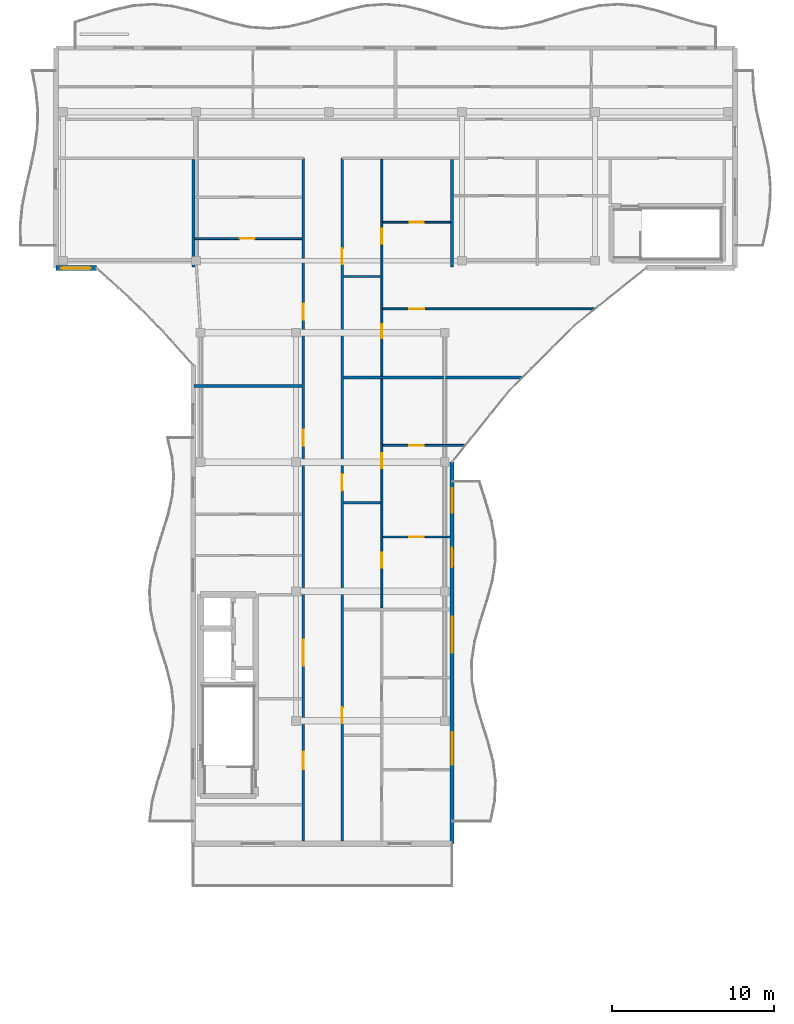
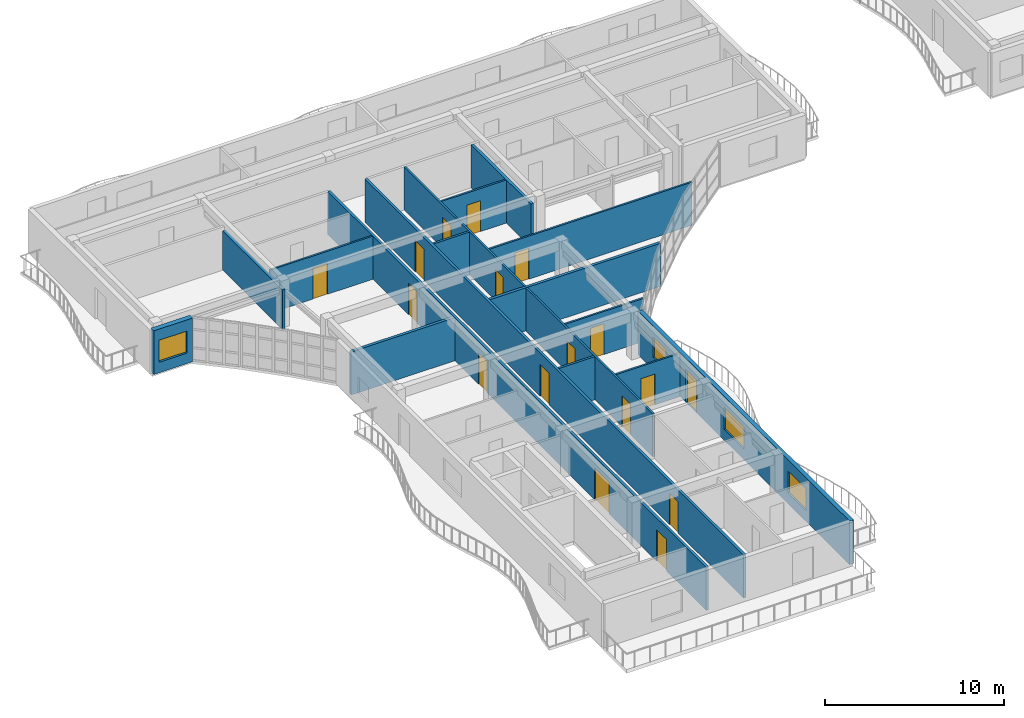
# One storey, part 26 of 49: 17 doors, 17 walls, 4 windows, 21 openings.
"""IFC4 building model written with IfcOpenShell, lengths in metres."""

from ifc_helpers import new_model, si_unit, direction, frame, frame_2d, origin, place, context, subcontext, project, spatial, rectangle, extrude, material, layer, layer_set, type_object, element, fill, save


model = new_model("IFC4")

# Units and contexts
model_context = context("Model", 3, precision=1e-05, world=origin(), true_north=direction((0.0, 1.0)))
body_context = subcontext(model_context, "Body", "Model", "MODEL_VIEW")
ifc_project = project(units=[si_unit("LENGTHUNIT", "METRE"), si_unit("AREAUNIT", "SQUARE_METRE"), si_unit("VOLUMEUNIT", "CUBIC_METRE"), si_unit("PLANEANGLEUNIT", "RADIAN"), si_unit("MASSUNIT", "GRAM", prefix="KILO")], contexts=[model_context])

# Site, building, storey
site_placement = place(None, origin())
site = spatial("IfcSite", under=ifc_project, at=site_placement, CompositionType="ELEMENT")
building_placement = place(site_placement, origin())
building = spatial("IfcBuilding", under=site, at=building_placement, Name="Keldmere Railside Commons", CompositionType="ELEMENT")
storey_placement = place(building_placement, frame((0.0, 0.0, 29.760009765625)))
storey = spatial("IfcBuildingStorey", under=building, at=storey_placement, Name="L09", CompositionType="ELEMENT", Elevation=29.760009765625)

# Walls
ifc_material_1 = material(Name="Acoustic Gypsum Board Partition", Category="gypsum")
ifc_layer_1 = layer(ifc_material_1, 0.179931640625, Name="Acoustic Demising Partition 180")
ifc_layer_set_1 = layer_set([ifc_layer_1], Name="Acoustic Gypsum Board Partition")
wall_type_1 = type_object("IfcWallType", Name="Acoustic Demising Partition 180", PredefinedType="PARTITIONING", material=ifc_layer_set_1)
wall_1_placement = place(storey_placement, frame((64.0, 100.050048828125, 0.0), z_axis=(0.0, 0.0, 1.0), x_axis=(0.0, 1.0, 0.0)))
element("IfcWall", 1, at=wall_1_placement, inside=storey, type_object=wall_type_1, Name="IW-1 IW-L09-0864", PredefinedType="PARTITIONING", context=body_context, shape_type="SweptSolid", body=[
    extrude(rectangle(XDim=6.669921875, YDim=0.179931640625, at=frame_2d((3.3349609375, 0.0))), origin(), (0.0, 0.0, 1.0), 2.93505859375),
])
wall_2_placement = place(storey_placement, frame((48.0, 100.050048828125, 0.0), z_axis=(0.0, 0.0, 1.0), x_axis=(0.0, 1.0, 0.0)))
element("IfcWall", 2, at=wall_2_placement, inside=storey, type_object=wall_type_1, Name="IW-1 IW-L09-0865", PredefinedType="PARTITIONING", context=body_context, shape_type="SweptSolid", body=[
    extrude(rectangle(XDim=6.669921875, YDim=0.179931640625, at=frame_2d((3.3349609375, 0.0))), origin(), (0.0, 0.0, 1.0), 2.679931640625),
])
wall_3_placement = place(storey_placement, frame((57.280029296875, 93.22998046875, 0.0), z_axis=(0.0, 0.0, 1.0), x_axis=(1.0, 0.0, 0.0)))
element("IfcWall", 3, at=wall_3_placement, inside=storey, type_object=wall_type_1, Name="IW-1 IW-L09-0869", PredefinedType="PARTITIONING", context=body_context, shape_type="SweptSolid", body=[
    extrude(rectangle(XDim=11.017333984375, YDim=0.179931640625, at=frame_2d((5.5087890625, 0.0))), origin(), (0.0, 0.0, 1.0), 2.93505859375),
])
wall_4_placement = place(storey_placement, frame((48.0400390625, 92.699951171875, 0.0), z_axis=(0.0, 0.0, 1.0), x_axis=(1.0, 0.0, 0.0)))
element("IfcWall", 4, at=wall_4_placement, inside=storey, type_object=wall_type_1, Name="IW-1 IW-L09-0892", PredefinedType="PARTITIONING", context=body_context, shape_type="SweptSolid", body=[
    extrude(rectangle(XDim=6.679931640625, YDim=0.179931640625, at=frame_2d((3.33984375, 0.0))), origin(), (0.0, 0.0, 1.0), 2.93505859375),
])

# Wall, openings, doors
ifc_layer_2 = layer(ifc_material_1, 0.1201171875, Name="Apartment Interior Partition 120")
ifc_layer_set_2 = layer_set([ifc_layer_2], Name="Acoustic Gypsum Board Partition")
wall_type_2 = type_object("IfcWallType", Name="Apartment Interior Partition 120", PredefinedType="PARTITIONING", material=ifc_layer_set_2)
wall_5_placement = place(storey_placement, frame((59.659912109375, 78.97998046875, 0.0), z_axis=(0.0, 0.0, 1.0), x_axis=(0.0, 1.0, 0.0)))
wall_5 = element("IfcWall", 5, at=wall_5_placement, inside=storey, type_object=wall_type_2, Name="IW-4 IW-L09-0874", PredefinedType="PARTITIONING", context=body_context, shape_type="SweptSolid", body=[
    extrude(rectangle(XDim=14.159912109375, YDim=0.1201171875, at=frame_2d((7.080078125, 0.0))), origin(), (0.0, 0.0, 1.0), 2.93505859375),
])
opening_1_placement = place(wall_5_placement, frame((2.473876953125, 0.0, 0.0)))
opening_1 = element("IfcOpeningElement", 6, at=opening_1_placement, cuts=wall_5, Name="Opening ID-05", PredefinedType="OPENING", context=body_context, shape_type="SweptSolid", body=[
    extrude(rectangle(XDim=0.93994140625, YDim=2.10009765625, at=frame_2d((0.469970703125, 1.050048828125))), frame((0.0, 0.070068359375, 0.0), z_axis=(0.0, -1.0, 0.0), x_axis=(1.0, 0.0, 0.0)), (0.0, 0.0, 1.0), 0.14013671875),
])
opening_2_placement = place(wall_5_placement, frame((8.652099609375, 0.0, 0.0)))
opening_2 = element("IfcOpeningElement", 7, at=opening_2_placement, cuts=wall_5, Name="Opening ID-03", PredefinedType="OPENING", context=body_context, shape_type="SweptSolid", body=[
    extrude(rectangle(XDim=0.919921875, YDim=2.10009765625, at=frame_2d((0.4599609375, 1.050048828125))), frame((0.0, 0.070068359375, 0.0), z_axis=(0.0, -1.0, 0.0), x_axis=(1.0, 0.0, 0.0)), (0.0, 0.0, 1.0), 0.14013671875),
])
ifc_material_2 = material(Name="Engineered Oak Timber", Category="wood")
door_type_1 = type_object("IfcDoorType", Name="Accessible Bathroom Door 940x2100", OperationType="NOTDEFINED", PredefinedType="DOOR", material=ifc_material_2)
door_1_placement = place(opening_1_placement, origin())
door_1 = element("IfcDoor", 8, at=door_1_placement, inside=storey, type_object=door_type_1, Name="ID-05 IDR-L09-0750", OperationType="SINGLE_SWING_RIGHT", OverallHeight=2.10009765625, OverallWidth=0.93994140625, PredefinedType="DOOR", context=body_context, shape_type="SweptSolid", body=[
    extrude(rectangle(XDim=0.93994140625, YDim=2.10009765625, at=frame_2d((0.469970703125, 1.050048828125))), frame((0.0, 0.02490234375, 0.0), z_axis=(0.0, -1.0, 0.0), x_axis=(1.0, 0.0, 0.0)), (0.0, 0.0, 1.0), 0.050048828125),
])
fill(opening_1, door_1)
door_type_2 = type_object("IfcDoorType", Name="Kitchen Pocket-Frame Swing Door 920x2100", OperationType="NOTDEFINED", PredefinedType="DOOR", material=ifc_material_2)
door_2_placement = place(opening_2_placement, origin())
door_2 = element("IfcDoor", 9, at=door_2_placement, inside=storey, type_object=door_type_2, Name="ID-03 IDR-L09-0751", OperationType="SINGLE_SWING_LEFT", OverallHeight=2.10009765625, OverallWidth=0.919921875, PredefinedType="DOOR", context=body_context, shape_type="SweptSolid", body=[
    extrude(rectangle(XDim=0.919921875, YDim=2.10009765625, at=frame_2d((0.4599609375, 1.050048828125))), frame((0.0, 0.02490234375, 0.0), z_axis=(0.0, -1.0, 0.0), x_axis=(1.0, 0.0, 0.0)), (0.0, 0.0, 1.0), 0.050048828125),
])
fill(opening_2, door_2)

# Wall, opening, door
wall_6_placement = place(storey_placement, frame((59.719970703125, 83.3701171875, 0.0), z_axis=(0.0, 0.0, 1.0), x_axis=(1.0, 0.0, 0.0)))
wall_6 = element("IfcWall", 10, at=wall_6_placement, inside=storey, type_object=wall_type_2, Name="IW-4 IW-L09-0876", PredefinedType="PARTITIONING", context=body_context, shape_type="SweptSolid", body=[
    extrude(rectangle(XDim=4.150146484375, YDim=0.1201171875, at=frame_2d((2.0751953125, 0.0))), origin(), (0.0, 0.0, 1.0), 2.93505859375),
])
opening_3_placement = place(wall_6_placement, frame((1.625, 0.0, 0.0)))
opening_3 = element("IfcOpeningElement", 11, at=opening_3_placement, cuts=wall_6, Name="Opening ID-01", PredefinedType="OPENING", context=body_context, shape_type="SweptSolid", body=[
    extrude(rectangle(XDim=0.89990234375, YDim=2.10009765625, at=frame_2d((0.449951171875, 1.050048828125))), frame((0.0, 0.070068359375, 0.0), z_axis=(0.0, -1.0, 0.0), x_axis=(1.0, 0.0, 0.0)), (0.0, 0.0, 1.0), 0.14013671875),
])
door_type_3 = type_object("IfcDoorType", Name="Primary Bedroom Door 900x2100", OperationType="NOTDEFINED", PredefinedType="DOOR", material=ifc_material_2)
door_3_placement = place(opening_3_placement, origin())
door_3 = element("IfcDoor", 12, at=door_3_placement, inside=storey, type_object=door_type_3, Name="ID-01 IDR-L09-0753", OperationType="SINGLE_SWING_LEFT", OverallHeight=2.10009765625, OverallWidth=0.89990234375, PredefinedType="DOOR", context=body_context, shape_type="SweptSolid", body=[
    extrude(rectangle(XDim=0.89990234375, YDim=2.10009765625, at=frame_2d((0.449951171875, 1.050048828125))), frame((0.0, 0.02490234375, 0.0), z_axis=(0.0, -1.0, 0.0), x_axis=(1.0, 0.0, 0.0)), (0.0, 0.0, 1.0), 0.050048828125),
])
fill(opening_3, door_3)

wall_7_placement = place(storey_placement, frame((59.719970703125, 89.030029296875, 0.0), z_axis=(0.0, 0.0, 1.0), x_axis=(1.0, 0.0, 0.0)))
wall_7 = element("IfcWall", 13, at=wall_7_placement, inside=storey, type_object=wall_type_2, Name="IW-4 IW-L09-0877", PredefinedType="PARTITIONING", context=body_context, shape_type="SweptSolid", body=[
    extrude(rectangle(XDim=5.054931640625, YDim=0.1201171875, at=frame_2d((2.52734375, 0.0))), origin(), (0.0, 0.0, 1.0), 2.93505859375),
])
opening_4_placement = place(wall_7_placement, frame((1.635009765625, 0.0, 0.0)))
opening_4 = element("IfcOpeningElement", 14, at=opening_4_placement, cuts=wall_7, Name="Opening ID-02", PredefinedType="OPENING", context=body_context, shape_type="SweptSolid", body=[
    extrude(rectangle(XDim=0.8798828125, YDim=2.10009765625, at=frame_2d((0.43994140625, 1.050048828125))), frame((0.0, 0.070068359375, 0.0), z_axis=(0.0, -1.0, 0.0), x_axis=(1.0, 0.0, 0.0)), (0.0, 0.0, 1.0), 0.14013671875),
])
door_type_4 = type_object("IfcDoorType", Name="Secondary Bedroom Door 880x2100", OperationType="NOTDEFINED", PredefinedType="DOOR", material=ifc_material_2)
door_4_placement = place(opening_4_placement, origin())
door_4 = element("IfcDoor", 15, at=door_4_placement, inside=storey, type_object=door_type_4, Name="ID-02 IDR-L09-0754", OperationType="SINGLE_SWING_RIGHT", OverallHeight=2.10009765625, OverallWidth=0.8798828125, PredefinedType="DOOR", context=body_context, shape_type="SweptSolid", body=[
    extrude(rectangle(XDim=0.8798828125, YDim=2.10009765625, at=frame_2d((0.43994140625, 1.050048828125))), frame((0.0, 0.02490234375, 0.0), z_axis=(0.0, -1.0, 0.0), x_axis=(1.0, 0.0, 0.0)), (0.0, 0.0, 1.0), 0.050048828125),
])
fill(opening_4, door_4)

# Wall, openings, doors
wall_8_placement = place(storey_placement, frame((59.659912109375, 93.320068359375, 0.0), z_axis=(0.0, 0.0, 1.0), x_axis=(0.0, 1.0, 0.0)))
wall_8 = element("IfcWall", 16, at=wall_8_placement, inside=storey, type_object=wall_type_2, Name="IW-4 IW-L09-0878", PredefinedType="PARTITIONING", context=body_context, shape_type="SweptSolid", body=[
    extrude(rectangle(XDim=13.39990234375, YDim=0.1201171875, at=frame_2d((6.699951171875, 0.0))), origin(), (0.0, 0.0, 1.0), 2.93505859375),
])
opening_5_placement = place(wall_8_placement, frame((2.3408203125, 0.0, 0.0)))
opening_5 = element("IfcOpeningElement", 17, at=opening_5_placement, cuts=wall_8, Name="Opening ID-04", PredefinedType="OPENING", context=body_context, shape_type="SweptSolid", body=[
    extrude(rectangle(XDim=0.860107421875, YDim=2.10009765625, at=frame_2d((0.43017578125, 1.050048828125))), frame((0.0, 0.070068359375, 0.0), z_axis=(0.0, -1.0, 0.0), x_axis=(1.0, 0.0, 0.0)), (0.0, 0.0, 1.0), 0.14013671875),
])
opening_6_placement = place(wall_8_placement, frame((8.187255859375, 0.0, 0.0)))
opening_6 = element("IfcOpeningElement", 18, at=opening_6_placement, cuts=wall_8, Name="Opening ID-03", PredefinedType="OPENING", context=body_context, shape_type="SweptSolid", body=[
    extrude(rectangle(XDim=0.919921875, YDim=2.10009765625, at=frame_2d((0.4599609375, 1.050048828125))), frame((0.0, 0.070068359375, 0.0), z_axis=(0.0, -1.0, 0.0), x_axis=(1.0, 0.0, 0.0)), (0.0, 0.0, 1.0), 0.14013671875),
])
door_type_5 = type_object("IfcDoorType", Name="Apartment Bathroom Door 860x2100", OperationType="NOTDEFINED", PredefinedType="DOOR", material=ifc_material_2)
door_5_placement = place(opening_5_placement, origin())
door_5 = element("IfcDoor", 19, at=door_5_placement, inside=storey, type_object=door_type_5, Name="ID-04 IDR-L09-0755", OperationType="SINGLE_SWING_LEFT", OverallHeight=2.10009765625, OverallWidth=0.860107421875, PredefinedType="DOOR", context=body_context, shape_type="SweptSolid", body=[
    extrude(rectangle(XDim=0.860107421875, YDim=2.10009765625, at=frame_2d((0.43017578125, 1.050048828125))), frame((0.0, 0.02490234375, 0.0), z_axis=(0.0, -1.0, 0.0), x_axis=(1.0, 0.0, 0.0)), (0.0, 0.0, 1.0), 0.050048828125),
])
fill(opening_5, door_5)
door_6_placement = place(opening_6_placement, origin())
door_6 = element("IfcDoor", 20, at=door_6_placement, inside=storey, type_object=door_type_2, Name="ID-03 IDR-L09-0756", OperationType="SINGLE_SWING_RIGHT", OverallHeight=2.10009765625, OverallWidth=0.919921875, PredefinedType="DOOR", context=body_context, shape_type="SweptSolid", body=[
    extrude(rectangle(XDim=0.919921875, YDim=2.10009765625, at=frame_2d((0.4599609375, 1.050048828125))), frame((0.0, 0.02490234375, 0.0), z_axis=(0.0, -1.0, 0.0), x_axis=(1.0, 0.0, 0.0)), (0.0, 0.0, 1.0), 0.050048828125),
])
fill(opening_6, door_6)

# Wall, opening, door
wall_9_placement = place(storey_placement, frame((59.719970703125, 97.469970703125, 0.0), z_axis=(0.0, 0.0, 1.0), x_axis=(1.0, 0.0, 0.0)))
wall_9 = element("IfcWall", 21, at=wall_9_placement, inside=storey, type_object=wall_type_2, Name="IW-4 IW-L09-0880", PredefinedType="PARTITIONING", context=body_context, shape_type="SweptSolid", body=[
    extrude(rectangle(XDim=13.0625, YDim=0.1201171875, at=frame_2d((6.53125, 0.0))), origin(), (0.0, 0.0, 1.0), 2.93505859375),
])
opening_7_placement = place(wall_9_placement, frame((1.64501953125, 0.0, 0.0)))
opening_7 = element("IfcOpeningElement", 22, at=opening_7_placement, cuts=wall_9, Name="Opening ID-01", PredefinedType="OPENING", context=body_context, shape_type="SweptSolid", body=[
    extrude(rectangle(XDim=0.89990234375, YDim=2.10009765625, at=frame_2d((0.449951171875, 1.050048828125))), frame((0.0, 0.070068359375, 0.0), z_axis=(0.0, -1.0, 0.0), x_axis=(1.0, 0.0, 0.0)), (0.0, 0.0, 1.0), 0.14013671875),
])
door_7_placement = place(opening_7_placement, origin())
door_7 = element("IfcDoor", 23, at=door_7_placement, inside=storey, type_object=door_type_3, Name="ID-01 IDR-L09-0758", OperationType="SINGLE_SWING_RIGHT", OverallHeight=2.10009765625, OverallWidth=0.89990234375, PredefinedType="DOOR", context=body_context, shape_type="SweptSolid", body=[
    extrude(rectangle(XDim=0.89990234375, YDim=2.10009765625, at=frame_2d((0.449951171875, 1.050048828125))), frame((0.0, 0.02490234375, 0.0), z_axis=(0.0, -1.0, 0.0), x_axis=(1.0, 0.0, 0.0)), (0.0, 0.0, 1.0), 0.050048828125),
])
fill(opening_7, door_7)

wall_10_placement = place(storey_placement, frame((59.719970703125, 102.830078125, 0.0), z_axis=(0.0, 0.0, 1.0), x_axis=(1.0, 0.0, 0.0)))
wall_10 = element("IfcWall", 24, at=wall_10_placement, inside=storey, type_object=wall_type_2, Name="IW-4 IW-L09-0881", PredefinedType="PARTITIONING", context=body_context, shape_type="SweptSolid", body=[
    extrude(rectangle(XDim=4.18994140625, YDim=0.1201171875, at=frame_2d((2.094970703125, 0.0))), origin(), (0.0, 0.0, 1.0), 2.93505859375),
])
opening_8_placement = place(wall_10_placement, frame((1.655029296875, 0.0, 0.0)))
opening_8 = element("IfcOpeningElement", 25, at=opening_8_placement, cuts=wall_10, Name="Opening ID-02", PredefinedType="OPENING", context=body_context, shape_type="SweptSolid", body=[
    extrude(rectangle(XDim=0.8798828125, YDim=2.10009765625, at=frame_2d((0.43994140625, 1.050048828125))), frame((0.0, 0.070068359375, 0.0), z_axis=(0.0, -1.0, 0.0), x_axis=(1.0, 0.0, 0.0)), (0.0, 0.0, 1.0), 0.14013671875),
])
door_8_placement = place(opening_8_placement, origin())
door_8 = element("IfcDoor", 26, at=door_8_placement, inside=storey, type_object=door_type_4, Name="ID-02 IDR-L09-0759", OperationType="SINGLE_SWING_LEFT", OverallHeight=2.10009765625, OverallWidth=0.8798828125, PredefinedType="DOOR", context=body_context, shape_type="SweptSolid", body=[
    extrude(rectangle(XDim=0.8798828125, YDim=2.10009765625, at=frame_2d((0.43994140625, 1.050048828125))), frame((0.0, 0.02490234375, 0.0), z_axis=(0.0, -1.0, 0.0), x_axis=(1.0, 0.0, 0.0)), (0.0, 0.0, 1.0), 0.050048828125),
])
fill(opening_8, door_8)

wall_11_placement = place(storey_placement, frame((48.090087890625, 101.820068359375, 0.0), z_axis=(0.0, 0.0, 1.0), x_axis=(1.0, 0.0, 0.0)))
wall_11 = element("IfcWall", 27, at=wall_11_placement, inside=storey, type_object=wall_type_2, Name="IW-4 IW-L09-0895", PredefinedType="PARTITIONING", context=body_context, shape_type="SweptSolid", body=[
    extrude(rectangle(XDim=6.6298828125, YDim=0.1201171875, at=frame_2d((3.31494140625, 0.0))), origin(), (0.0, 0.0, 1.0), 2.93505859375),
])
opening_9_placement = place(wall_11_placement, frame((2.78466796875, 0.0, 0.0)))
opening_9 = element("IfcOpeningElement", 28, at=opening_9_placement, cuts=wall_11, Name="Opening ID-03", PredefinedType="OPENING", context=body_context, shape_type="SweptSolid", body=[
    extrude(rectangle(XDim=0.919921875, YDim=2.10009765625, at=frame_2d((0.4599609375, 1.050048828125))), frame((0.0, 0.070068359375, 0.0), z_axis=(0.0, -1.0, 0.0), x_axis=(1.0, 0.0, 0.0)), (0.0, 0.0, 1.0), 0.14013671875),
])
door_9_placement = place(opening_9_placement, origin())
door_9 = element("IfcDoor", 29, at=door_9_placement, inside=storey, type_object=door_type_2, Name="ID-03 IDR-L09-0777", OperationType="SINGLE_SWING_LEFT", OverallHeight=2.10009765625, OverallWidth=0.919921875, PredefinedType="DOOR", context=body_context, shape_type="SweptSolid", body=[
    extrude(rectangle(XDim=0.919921875, YDim=2.10009765625, at=frame_2d((0.4599609375, 1.050048828125))), frame((0.0, 0.02490234375, 0.0), z_axis=(0.0, -1.0, 0.0), x_axis=(1.0, 0.0, 0.0)), (0.0, 0.0, 1.0), 0.050048828125),
])
fill(opening_9, door_9)

# Wall, openings, doors
ifc_layer_3 = layer(ifc_material_1, 0.159912109375, Name="Corridor Fire Partition 160")
ifc_layer_set_3 = layer_set([ifc_layer_3], Name="Acoustic Gypsum Board Partition")
wall_type_3 = type_object("IfcWallType", Name="Corridor Fire Partition 160", PredefinedType="PARTITIONING", material=ifc_layer_set_3)
wall_12_placement = place(storey_placement, frame((54.800048828125, 64.56005859375, 0.0), z_axis=(0.0, 0.0, 1.0), x_axis=(0.0, 1.0, 0.0)))
wall_12 = element("IfcWall", 30, at=wall_12_placement, inside=storey, type_object=wall_type_3, Name="IW-2 IW-L09-0859", PredefinedType="PARTITIONING", context=body_context, shape_type="SweptSolid", body=[
    extrude(rectangle(XDim=42.239990234375, YDim=0.159912109375, at=frame_2d((21.1201171875, 0.0))), origin(), (0.0, 0.0, 1.0), 2.93505859375),
])
opening_10_placement = place(wall_12_placement, frame((4.43994140625, 0.0, 0.0)))
opening_10 = element("IfcOpeningElement", 31, at=opening_10_placement, cuts=wall_12, Name="Opening FD-2", PredefinedType="OPENING", context=body_context, shape_type="SweptSolid", body=[
    extrude(rectangle(XDim=1.10009765625, YDim=2.14990234375, at=frame_2d((0.550048828125, 1.074951171875))), frame((0.0, 0.08984375, 0.0), z_axis=(0.0, -1.0, 0.0), x_axis=(1.0, 0.0, 0.0)), (0.0, 0.0, 1.0), 0.179931640625),
])
opening_11_placement = place(wall_12_placement, frame((10.840087890625, 0.0, 0.0)))
opening_11 = element("IfcOpeningElement", 32, at=opening_11_placement, cuts=wall_12, Name="Opening FD-4", PredefinedType="OPENING", context=body_context, shape_type="SweptSolid", body=[
    extrude(rectangle(XDim=1.60009765625, YDim=2.14990234375, at=frame_2d((0.800048828125, 1.074951171875))), frame((0.0, 0.08984375, 0.0), z_axis=(0.0, -1.0, 0.0), x_axis=(1.0, 0.0, 0.0)), (0.0, 0.0, 1.0), 0.179931640625),
])
opening_12_placement = place(wall_12_placement, frame((24.445068359375, 0.0, 0.0)))
opening_12 = element("IfcOpeningElement", 33, at=opening_12_placement, cuts=wall_12, Name="Opening FD-7", PredefinedType="OPENING", context=body_context, shape_type="SweptSolid", body=[
    extrude(rectangle(XDim=0.97998046875, YDim=2.14990234375, at=frame_2d((0.489990234375, 1.074951171875))), frame((0.0, 0.08984375, 0.0), z_axis=(0.0, -1.0, 0.0), x_axis=(1.0, 0.0, 0.0)), (0.0, 0.0, 1.0), 0.179931640625),
])
opening_13_placement = place(wall_12_placement, frame((32.2548828125, 0.0, 0.0)))
opening_13 = element("IfcOpeningElement", 34, at=opening_13_placement, cuts=wall_12, Name="Opening FD-7", PredefinedType="OPENING", context=body_context, shape_type="SweptSolid", body=[
    extrude(rectangle(XDim=0.97998046875, YDim=2.14990234375, at=frame_2d((0.489990234375, 1.074951171875))), frame((0.0, 0.08984375, 0.0), z_axis=(0.0, -1.0, 0.0), x_axis=(1.0, 0.0, 0.0)), (0.0, 0.0, 1.0), 0.179931640625),
])
door_type_6 = type_object("IfcDoorType", Name="Apartment Entrance Acoustic Fire Door 980x2150", OperationType="NOTDEFINED", PredefinedType="DOOR", material=ifc_material_2)
door_10_placement = place(opening_12_placement, origin())
door_10 = element("IfcDoor", 35, at=door_10_placement, inside=storey, type_object=door_type_6, Name="FD-7 IDR-L09-0775", OperationType="SINGLE_SWING_LEFT", OverallHeight=2.14990234375, OverallWidth=0.97998046875, PredefinedType="DOOR", context=body_context, shape_type="SweptSolid", body=[
    extrude(rectangle(XDim=0.97998046875, YDim=2.14990234375, at=frame_2d((0.489990234375, 1.074951171875))), frame((0.0, 0.02490234375, 0.0), z_axis=(0.0, -1.0, 0.0), x_axis=(1.0, 0.0, 0.0)), (0.0, 0.0, 1.0), 0.050048828125),
])
fill(opening_12, door_10)
door_11_placement = place(opening_13_placement, origin())
door_11 = element("IfcDoor", 36, at=door_11_placement, inside=storey, type_object=door_type_6, Name="FD-7 IDR-L09-0778", OperationType="SINGLE_SWING_RIGHT", OverallHeight=2.14990234375, OverallWidth=0.97998046875, PredefinedType="DOOR", context=body_context, shape_type="SweptSolid", body=[
    extrude(rectangle(XDim=0.97998046875, YDim=2.14990234375, at=frame_2d((0.489990234375, 1.074951171875))), frame((0.0, 0.02490234375, 0.0), z_axis=(0.0, -1.0, 0.0), x_axis=(1.0, 0.0, 0.0)), (0.0, 0.0, 1.0), 0.050048828125),
])
fill(opening_13, door_11)
ifc_material_3 = material(Name="Steel F-24 (S235)", Category="steel")
door_type_7 = type_object("IfcDoorType", Name="Corridor Cross-Compartment Double Fire Door 1600x2150", OperationType="DOUBLE_DOOR_SINGLE_SWING", PredefinedType="DOOR", material=ifc_material_3)
door_12_placement = place(opening_11_placement, origin())
door_12 = element("IfcDoor", 37, at=door_12_placement, inside=storey, type_object=door_type_7, Name="FD-4 IDR-L09-0744", OperationType="DOUBLE_DOOR_SINGLE_SWING", OverallHeight=2.14990234375, OverallWidth=1.60009765625, PredefinedType="DOOR", context=body_context, shape_type="SweptSolid", body=[
    extrude(rectangle(XDim=1.60009765625, YDim=2.14990234375, at=frame_2d((0.800048828125, 1.074951171875))), frame((0.0, 0.02490234375, 0.0), z_axis=(0.0, -1.0, 0.0), x_axis=(1.0, 0.0, 0.0)), (0.0, 0.0, 1.0), 0.050048828125),
])
fill(opening_11, door_12)
door_type_8 = type_object("IfcDoorType", Name="Firefighting Lobby Fire Door 1100x2150", OperationType="NOTDEFINED", PredefinedType="DOOR", material=ifc_material_3)
door_13_placement = place(opening_10_placement, origin())
door_13 = element("IfcDoor", 38, at=door_13_placement, inside=storey, type_object=door_type_8, Name="FD-2 IDR-L09-0743", OperationType="SINGLE_SWING_LEFT", OverallHeight=2.14990234375, OverallWidth=1.10009765625, PredefinedType="DOOR", context=body_context, shape_type="SweptSolid", body=[
    extrude(rectangle(XDim=1.10009765625, YDim=2.14990234375, at=frame_2d((0.550048828125, 1.074951171875))), frame((0.0, 0.02490234375, 0.0), z_axis=(0.0, -1.0, 0.0), x_axis=(1.0, 0.0, 0.0)), (0.0, 0.0, 1.0), 0.050048828125),
])
fill(opening_10, door_13)

wall_13_placement = place(storey_placement, frame((57.199951171875, 64.56005859375, 0.0), z_axis=(0.0, 0.0, 1.0), x_axis=(0.0, 1.0, 0.0)))
wall_13 = element("IfcWall", 39, at=wall_13_placement, inside=storey, type_object=wall_type_3, Name="IW-2 IW-L09-0860", PredefinedType="PARTITIONING", context=body_context, shape_type="SweptSolid", body=[
    extrude(rectangle(XDim=42.239990234375, YDim=0.159912109375, at=frame_2d((21.1201171875, 0.0))), origin(), (0.0, 0.0, 1.0), 2.93505859375),
])
opening_14_placement = place(wall_13_placement, frame((7.300048828125, 0.0, 0.0)))
opening_14 = element("IfcOpeningElement", 40, at=opening_14_placement, cuts=wall_13, Name="Opening FD-7", PredefinedType="OPENING", context=body_context, shape_type="SweptSolid", body=[
    extrude(rectangle(XDim=0.97998046875, YDim=2.14990234375, at=frame_2d((0.489990234375, 1.074951171875))), frame((0.0, 0.08984375, 0.0), z_axis=(0.0, -1.0, 0.0), x_axis=(1.0, 0.0, 0.0)), (0.0, 0.0, 1.0), 0.179931640625),
])
opening_15_placement = place(wall_13_placement, frame((21.679931640625, 0.0, 0.0)))
opening_15 = element("IfcOpeningElement", 41, at=opening_15_placement, cuts=wall_13, Name="Opening FD-8", PredefinedType="OPENING", context=body_context, shape_type="SweptSolid", body=[
    extrude(rectangle(XDim=1.02001953125, YDim=2.14990234375, at=frame_2d((0.510009765625, 1.074951171875))), frame((0.0, 0.08984375, 0.0), z_axis=(0.0, -1.0, 0.0), x_axis=(1.0, 0.0, 0.0)), (0.0, 0.0, 1.0), 0.179931640625),
])
opening_16_placement = place(wall_13_placement, frame((35.669921875, 0.0, 0.0)))
opening_16 = element("IfcOpeningElement", 42, at=opening_16_placement, cuts=wall_13, Name="Opening FD-7", PredefinedType="OPENING", context=body_context, shape_type="SweptSolid", body=[
    extrude(rectangle(XDim=0.97998046875, YDim=2.14990234375, at=frame_2d((0.489990234375, 1.074951171875))), frame((0.0, 0.08984375, 0.0), z_axis=(0.0, -1.0, 0.0), x_axis=(1.0, 0.0, 0.0)), (0.0, 0.0, 1.0), 0.179931640625),
])
door_type_9 = type_object("IfcDoorType", Name="Adaptable Apartment Entrance Fire Door 1020x2150", OperationType="NOTDEFINED", PredefinedType="DOOR", material=ifc_material_2)
door_14_placement = place(opening_15_placement, origin())
door_14 = element("IfcDoor", 43, at=door_14_placement, inside=storey, type_object=door_type_9, Name="FD-8 IDR-L09-0752", OperationType="SINGLE_SWING_RIGHT", OverallHeight=2.14990234375, OverallWidth=1.02001953125, PredefinedType="DOOR", context=body_context, shape_type="SweptSolid", body=[
    extrude(rectangle(XDim=1.02001953125, YDim=2.14990234375, at=frame_2d((0.510009765625, 1.074951171875))), frame((0.0, 0.02490234375, 0.0), z_axis=(0.0, -1.0, 0.0), x_axis=(1.0, 0.0, 0.0)), (0.0, 0.0, 1.0), 0.050048828125),
])
fill(opening_15, door_14)
door_15_placement = place(opening_14_placement, origin())
door_15 = element("IfcDoor", 44, at=door_15_placement, inside=storey, type_object=door_type_6, Name="FD-7 IDR-L09-0747", OperationType="SINGLE_SWING_LEFT", OverallHeight=2.14990234375, OverallWidth=0.97998046875, PredefinedType="DOOR", context=body_context, shape_type="SweptSolid", body=[
    extrude(rectangle(XDim=0.97998046875, YDim=2.14990234375, at=frame_2d((0.489990234375, 1.074951171875))), frame((0.0, 0.02490234375, 0.0), z_axis=(0.0, -1.0, 0.0), x_axis=(1.0, 0.0, 0.0)), (0.0, 0.0, 1.0), 0.050048828125),
])
fill(opening_14, door_15)
door_16_placement = place(opening_16_placement, origin())
door_16 = element("IfcDoor", 45, at=door_16_placement, inside=storey, type_object=door_type_6, Name="FD-7 IDR-L09-0757", OperationType="SINGLE_SWING_LEFT", OverallHeight=2.14990234375, OverallWidth=0.97998046875, PredefinedType="DOOR", context=body_context, shape_type="SweptSolid", body=[
    extrude(rectangle(XDim=0.97998046875, YDim=2.14990234375, at=frame_2d((0.489990234375, 1.074951171875))), frame((0.0, 0.02490234375, 0.0), z_axis=(0.0, -1.0, 0.0), x_axis=(1.0, 0.0, 0.0)), (0.0, 0.0, 1.0), 0.050048828125),
])
fill(opening_16, door_16)

# Wall, opening, window
ifc_material_4 = material(Name="Concrete H-35 (C35/45)", Category="concrete")
ifc_layer_4 = layer(ifc_material_4, 0.320068359375, Name="Exterior Shear Wall 320")
ifc_layer_set_4 = layer_set([ifc_layer_4], Name="Concrete H-35 (C35/45)")
wall_type_4 = type_object("IfcWallType", Name="Exterior Shear Wall 320", PredefinedType="SHEAR", material=ifc_layer_set_4)
wall_14_placement = place(storey_placement, frame((42.0, 100.0, 0.0), z_axis=(0.0, 0.0, 1.0), x_axis=(-1.0, 0.0, 0.0)))
wall_14 = element("IfcWall", 46, at=wall_14_placement, inside=storey, type_object=wall_type_4, Name="ESW-2 EXTC-L09-0403", PredefinedType="SHEAR", context=body_context, shape_type="SweptSolid", body=[
    extrude(rectangle(XDim=2.5, YDim=0.320068359375, at=frame_2d((1.25, 0.0))), origin(), (0.0, 0.0, 1.0), 2.97998046875),
])
opening_17_placement = place(wall_14_placement, frame((0.35009765625, 0.0, 0.719970703125)))
opening_17 = element("IfcOpeningElement", 47, at=opening_17_placement, cuts=wall_14, Name="Opening WN-01", PredefinedType="OPENING", context=body_context, shape_type="SweptSolid", body=[
    extrude(rectangle(XDim=1.800048828125, YDim=1.5, at=frame_2d((0.89990234375, 0.75))), frame((0.0, 0.169921875, 0.0), z_axis=(0.0, -1.0, 0.0), x_axis=(1.0, 0.0, 0.0)), (0.0, 0.0, 1.0), 0.340087890625),
])
ifc_material_5 = material(Name="Low-E Insulated Double Glazing", Category="glass")
window_type_1 = type_object("IfcWindowType", Name="Living Room North Casement Window 1800x1500", PartitioningType="SINGLE_PANEL", PredefinedType="WINDOW", material=ifc_material_5)
window_1_placement = place(opening_17_placement, origin())
window_1 = element("IfcWindow", 48, at=window_1_placement, inside=storey, type_object=window_type_1, Name="WN-01 WIN-L09-0333", OverallHeight=1.5, OverallWidth=1.800048828125, PartitioningType="SINGLE_PANEL", PredefinedType="WINDOW", context=body_context, shape_type="SweptSolid", body=[
    extrude(rectangle(XDim=1.800048828125, YDim=1.5, at=frame_2d((0.89990234375, 0.75))), frame((0.0, 0.030029296875, 0.0), z_axis=(0.0, -1.0, 0.0), x_axis=(1.0, 0.0, 0.0)), (0.0, 0.0, 1.0), 0.06005859375),
])
fill(opening_17, window_1)

# Wall, openings, door, windows
ifc_material_6 = material(Name="Terracotta Brick Masonry", Category="masonry")
ifc_layer_5 = layer(ifc_material_6, 0.260009765625, Name="Terracotta Cavity Wall 260")
ifc_layer_set_5 = layer_set([ifc_layer_5], Name="Terracotta Brick Masonry")
wall_type_5 = type_object("IfcWallType", Name="Terracotta Cavity Wall 260", PredefinedType="SOLIDWALL", material=ifc_layer_set_5)
wall_15_placement = place(storey_placement, frame((64.0, 88.0, 0.0), z_axis=(0.0, 0.0, 1.0), x_axis=(0.0, -1.0, 0.0)))
wall_15 = element("IfcWall", 49, at=wall_15_placement, inside=storey, type_object=wall_type_5, Name="EW-1 EXTC-L09-0398", PredefinedType="SOLIDWALL", context=body_context, shape_type="SweptSolid", body=[
    extrude(rectangle(XDim=23.60009765625, YDim=0.260009765625, at=frame_2d((11.800048828125, 0.0))), origin(), (0.0, 0.0, 1.0), 2.97998046875),
])
opening_18_placement = place(wall_15_placement, frame((5.300048828125, 0.0, 0.0)))
opening_18 = element("IfcOpeningElement", 50, at=opening_18_placement, cuts=wall_15, Name="Opening BD-01", PredefinedType="OPENING", context=body_context, shape_type="SweptSolid", body=[
    extrude(rectangle(XDim=1.199951171875, YDim=2.199951171875, at=frame_2d((0.60009765625, 1.10009765625))), frame((0.0, 0.139892578125, 0.0), z_axis=(0.0, -1.0, 0.0), x_axis=(1.0, 0.0, 0.0)), (0.0, 0.0, 1.0), 0.280029296875),
])
opening_19_placement = place(wall_15_placement, frame((9.550048828125, 0.0, 0.719970703125)))
opening_19 = element("IfcOpeningElement", 51, at=opening_19_placement, cuts=wall_15, Name="Opening WN-12", PredefinedType="OPENING", context=body_context, shape_type="SweptSolid", body=[
    extrude(rectangle(XDim=2.25, YDim=1.5, at=frame_2d((1.125, 0.75))), frame((0.0, 0.139892578125, 0.0), z_axis=(0.0, -1.0, 0.0), x_axis=(1.0, 0.0, 0.0)), (0.0, 0.0, 1.0), 0.280029296875),
])
opening_20_placement = place(wall_15_placement, frame((16.699951171875, 0.0, 0.719970703125)))
opening_20 = element("IfcOpeningElement", 52, at=opening_20_placement, cuts=wall_15, Name="Opening WN-02", PredefinedType="OPENING", context=body_context, shape_type="SweptSolid", body=[
    extrude(rectangle(XDim=2.0, YDim=1.5, at=frame_2d((1.0, 0.75))), frame((0.0, 0.139892578125, 0.0), z_axis=(0.0, -1.0, 0.0), x_axis=(1.0, 0.0, 0.0)), (0.0, 0.0, 1.0), 0.280029296875),
])
opening_21_placement = place(wall_15_placement, frame((1.6298828125, 0.0, 0.820068359375)))
opening_21 = element("IfcOpeningElement", 53, at=opening_21_placement, cuts=wall_15, Name="Opening WN-06", PredefinedType="OPENING", context=body_context, shape_type="SweptSolid", body=[
    extrude(rectangle(XDim=1.5, YDim=1.39990234375, at=frame_2d((0.75, 0.699951171875))), frame((0.0, 0.139892578125, 0.0), z_axis=(0.0, -1.0, 0.0), x_axis=(1.0, 0.0, 0.0)), (0.0, 0.0, 1.0), 0.280029296875),
])
ifc_material_7 = material(Name="Thermally Broken Aluminium", Category="aluminium")
door_type_10 = type_object("IfcDoorType", Name="Apartment Living Wave-Balcony Glazed Door 1200x2200", OperationType="NOTDEFINED", PredefinedType="DOOR", material=ifc_material_7)
door_17_placement = place(opening_18_placement, origin())
door_17 = element("IfcDoor", 54, at=door_17_placement, inside=storey, type_object=door_type_10, Name="BD-01 DR-L09-0116", OperationType="SINGLE_SWING_RIGHT", OverallHeight=2.199951171875, OverallWidth=1.199951171875, PredefinedType="DOOR", context=body_context, shape_type="SweptSolid", body=[
    extrude(rectangle(XDim=1.199951171875, YDim=2.199951171875, at=frame_2d((0.60009765625, 1.10009765625))), frame((0.0, 0.02490234375, 0.0), z_axis=(0.0, -1.0, 0.0), x_axis=(1.0, 0.0, 0.0)), (0.0, 0.0, 1.0), 0.050048828125),
])
fill(opening_18, door_17)
window_type_2 = type_object("IfcWindowType", Name="Living Room South Casement Window 2000x1500", PartitioningType="SINGLE_PANEL", PredefinedType="WINDOW", material=ifc_material_5)
window_2_placement = place(opening_20_placement, origin())
window_2 = element("IfcWindow", 55, at=window_2_placement, inside=storey, type_object=window_type_2, Name="WN-02 WIN-L09-0324", OverallHeight=1.5, OverallWidth=2.0, PartitioningType="SINGLE_PANEL", PredefinedType="WINDOW", context=body_context, shape_type="SweptSolid", body=[
    extrude(rectangle(XDim=2.0, YDim=1.5, at=frame_2d((1.0, 0.75))), frame((0.0, 0.030029296875, 0.0), z_axis=(0.0, -1.0, 0.0), x_axis=(1.0, 0.0, 0.0)), (0.0, 0.0, 1.0), 0.06005859375),
])
fill(opening_20, window_2)
window_type_3 = type_object("IfcWindowType", Name="Primary Bedroom North Window 1500x1400", PartitioningType="SINGLE_PANEL", PredefinedType="WINDOW", material=ifc_material_5)
window_3_placement = place(opening_21_placement, origin())
window_3 = element("IfcWindow", 56, at=window_3_placement, inside=storey, type_object=window_type_3, Name="WN-06 WIN-L09-9073", OverallHeight=1.39990234375, OverallWidth=1.5, PartitioningType="SINGLE_PANEL", PredefinedType="WINDOW", context=body_context, shape_type="SweptSolid", body=[
    extrude(rectangle(XDim=1.5, YDim=1.39990234375, at=frame_2d((0.75, 0.699951171875))), frame((0.0, 0.030029296875, 0.0), z_axis=(0.0, -1.0, 0.0), x_axis=(1.0, 0.0, 0.0)), (0.0, 0.0, 1.0), 0.06005859375),
])
fill(opening_21, window_3)
window_type_4 = type_object("IfcWindowType", Name="Studio Court Ribbon Window 2250x1500", PartitioningType="SINGLE_PANEL", PredefinedType="WINDOW", material=ifc_material_5)
window_4_placement = place(opening_19_placement, origin())
window_4 = element("IfcWindow", 57, at=window_4_placement, inside=storey, type_object=window_type_4, Name="WN-12 WIN-L09-0323", OverallHeight=1.5, OverallWidth=2.25, PartitioningType="SINGLE_PANEL", PredefinedType="WINDOW", context=body_context, shape_type="SweptSolid", body=[
    extrude(rectangle(XDim=2.25, YDim=1.5, at=frame_2d((1.125, 0.75))), frame((0.0, 0.030029296875, 0.0), z_axis=(0.0, -1.0, 0.0), x_axis=(1.0, 0.0, 0.0)), (0.0, 0.0, 1.0), 0.06005859375),
])
fill(opening_19, window_4)

# Walls
ifc_layer_6 = layer(ifc_material_1, 0.139892578125, Name="Wet-Room Sanitary Partition 140")
ifc_layer_set_6 = layer_set([ifc_layer_6], Name="Acoustic Gypsum Board Partition")
wall_type_6 = type_object("IfcWallType", Name="Wet-Room Sanitary Partition 140", PredefinedType="PARTITIONING", material=ifc_layer_set_6)
for number, where, z_axis, x_axis, name in (
    (58, (57.280029296875, 85.489990234375, 0.0), (0.0, 0.0, 1.0), (1.0, 0.0, 0.0), "IW-5 IW-L09-0875"),
    (59, (57.280029296875, 99.47998046875, 0.0), (0.0, 0.0, 1.0), (1.0, 0.0, 0.0), "IW-5 IW-L09-0879"),
):
    element("IfcWall", number, at=place(storey_placement, frame(where, z_axis=z_axis, x_axis=x_axis)), inside=storey, type_object=wall_type_6, Name=name, PredefinedType="PARTITIONING", context=body_context, shape_type="SweptSolid", body=[
        extrude(rectangle(XDim=2.320068359375, YDim=0.139892578125, at=frame_2d((1.16015625, 0.0))), origin(), (0.0, 0.0, 1.0), 2.93505859375),
    ])

save(model, "model.ifc")
